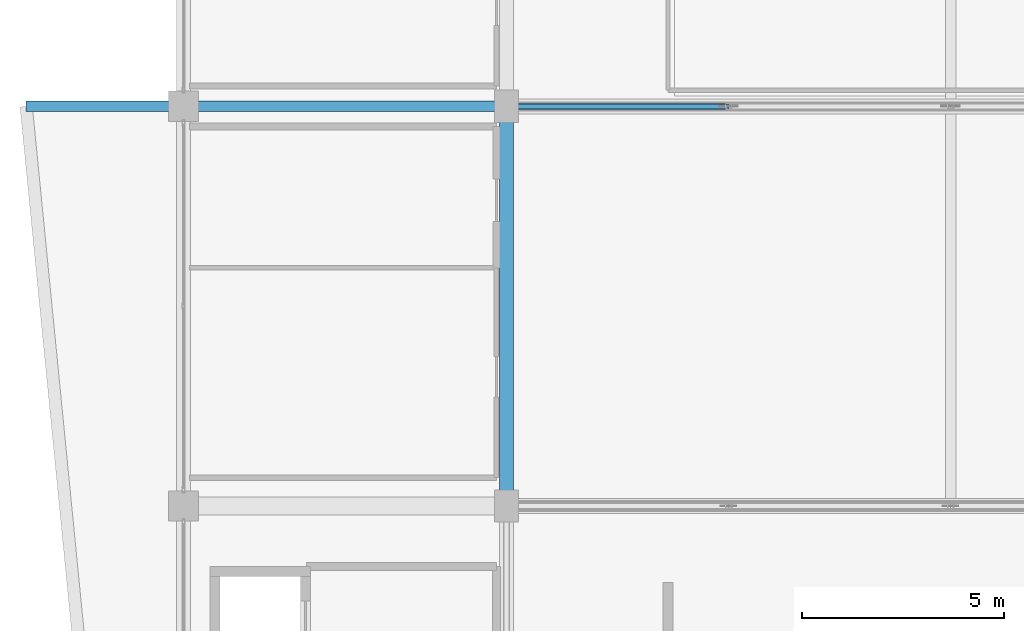
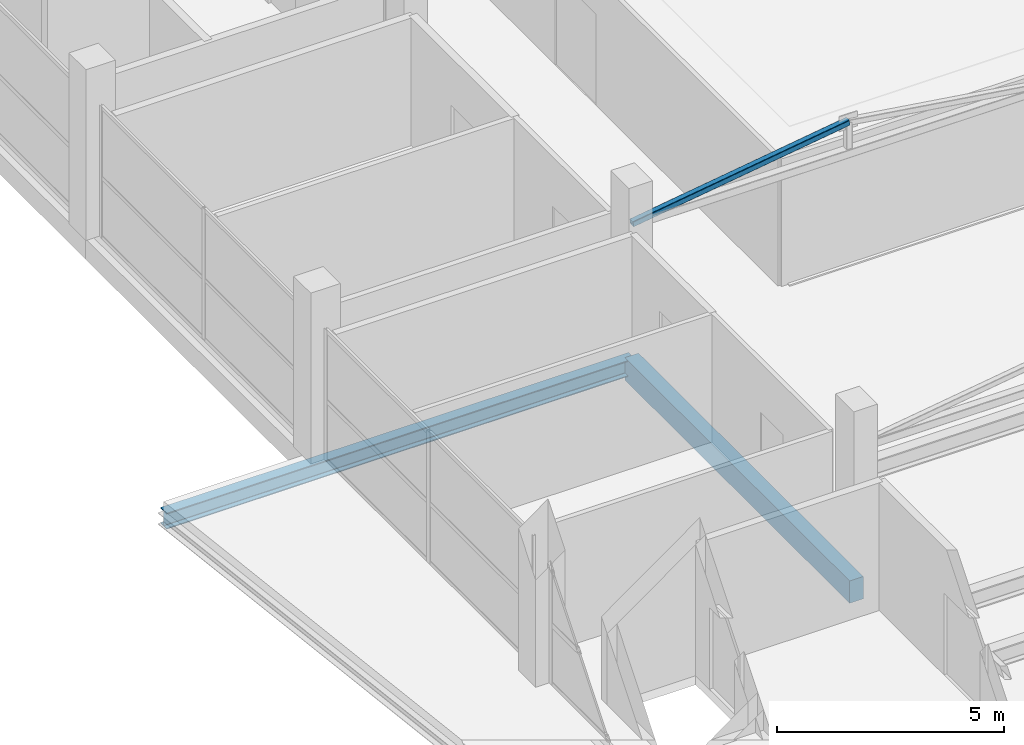
# One storey, part 19 of 55: 2 beams, 1 member.
"""IFC4 building model written with IfcOpenShell, lengths in metres."""

from ifc_helpers import new_model, si_unit, direction, frame, origin, origin_2d, place, context, subcontext, project, spatial, rectangle, hollow_rectangle, i_section, extrude, material, material_profile, profile_set, type_object, element, save


model = new_model("IFC4")

# Units and contexts
model_context = context("Model", 3, precision=1e-05, world=origin(), true_north=direction((0.0, 1.0)))
body_context = subcontext(model_context, "Body", "Model", "MODEL_VIEW")
ifc_project = project(units=[si_unit("LENGTHUNIT", "METRE"), si_unit("AREAUNIT", "SQUARE_METRE"), si_unit("VOLUMEUNIT", "CUBIC_METRE"), si_unit("PLANEANGLEUNIT", "RADIAN"), si_unit("MASSUNIT", "GRAM", prefix="KILO")], contexts=[model_context])

# Site, building, storey
site_placement = place(None, origin())
site = spatial("IfcSite", under=ifc_project, at=site_placement, CompositionType="ELEMENT")
building_placement = place(site_placement, origin())
building = spatial("IfcBuilding", under=site, at=building_placement, Name="Sillaruma Civic Art Gallery", CompositionType="ELEMENT")
storey_placement = place(building_placement, frame((0.0, 0.0, 37.739990234375)))
storey = spatial("IfcBuildingStorey", under=building, at=storey_placement, Name="L07", CompositionType="ELEMENT", Elevation=37.739990234375)

# Beams
ifc_material_1 = material(Name="Concrete H35 (35 MPa)", Category="concrete")
ifc_material_profile_1 = material_profile(ifc_material_1, rectangle(XDim=0.35009765625, YDim=0.60009765625, at=origin_2d()), Name="RCB350x600")
ifc_profile_set_1 = profile_set([ifc_material_profile_1], Name="Concrete H35 (35 MPa)")
beam_type_1 = type_object("IfcBeamType", Name="BM-BEAM-RCB350x600", PredefinedType="BEAM", material=ifc_profile_set_1)
beam_1_placement = place(storey_placement, frame((70.0, 49.5, -0.5400390625), z_axis=(0.0, 1.0, 0.0), x_axis=(-1.0, 0.0, 0.0)))
element("IfcBeam", 1, at=beam_1_placement, inside=storey, type_object=beam_type_1, Name="Beam BM-06 (L06:G:6-7)", PredefinedType="BEAM", context=body_context, shape_type="SweptSolid", body=[
    extrude(rectangle(XDim=0.35009765625, YDim=0.60009765625, at=origin_2d()), origin(), (0.0, 0.0, 1.0), 9.89990234375),
])
ifc_material_2 = material(Name="Structural Steel ASTM A992 Gr.50", Category="steel")
ifc_material_profile_2 = material_profile(ifc_material_2, i_section(OverallWidth=0.264892578125, OverallDepth=0.430908203125, WebThickness=0.014892578125, FlangeThickness=0.02490234375, FilletRadius=0.012939453125, at=origin_2d()), Name="W410x149")
ifc_profile_set_2 = profile_set([ifc_material_profile_2], Name="Structural Steel ASTM A992 Gr.50")
beam_type_2 = type_object("IfcBeamType", Name="BM-PROW-W410x149", PredefinedType="BEAM", material=ifc_profile_set_2)
beam_2_placement = place(storey_placement, frame((70.0, 59.39990234375, -0.45556640625), z_axis=(-1.0, 0.0, 0.0), x_axis=(0.0, -1.0, 0.0)))
element("IfcBeam", 2, at=beam_2_placement, inside=storey, type_object=beam_type_2, Name="Back-Spanned Prow Beam (PRW-L06-W-ROF-N)", PredefinedType="BEAM", context=body_context, shape_type="SweptSolid", body=[
    extrude(i_section(OverallWidth=0.264892578125, OverallDepth=0.430908203125, WebThickness=0.014892578125, FlangeThickness=0.02490234375, FilletRadius=0.012939453125, at=origin_2d()), origin(), (0.0, 0.0, 1.0), 11.89990234375),
])

# Member
ifc_material_3 = material(Name="Structural Steel ASTM A500 Gr.C", Category="steel")
ifc_material_profile_3 = material_profile(ifc_material_3, hollow_rectangle(XDim=0.14990234375, YDim=0.14990234375, WallThickness=0.010009765625, InnerFilletRadius=0.010009765625, OuterFilletRadius=0.02001953125, at=origin_2d()), Name="HSS150x150x10")
ifc_profile_set_3 = profile_set([ifc_material_profile_3], Name="Structural Steel ASTM A500 Gr.C")
member_type = type_object("IfcMemberType", Name="MEM-BRACE-HSS150x150x10", PredefinedType="BRACE", material=ifc_profile_set_3)
member_placement = place(storey_placement, frame((70.0, 59.39990234375, 3.320068359375), z_axis=(0.989384036218, 0.0, 0.145324563914), x_axis=(0.0, 1.0, 0.0)))
element("IfcMember", 3, at=member_placement, inside=storey, type_object=member_type, Name="Warren Truss Diagonal TR-L07-2-D1", PredefinedType="BRACE", context=body_context, shape_type="SweptSolid", body=[
    extrude(hollow_rectangle(XDim=0.14990234375, YDim=0.14990234375, WallThickness=0.010009765625, InnerFilletRadius=0.010009765625, OuterFilletRadius=0.02001953125, at=origin_2d()), origin(), (0.0, 0.0, 1.0), 5.55908203125),
])

save(model, "model.ifc")
